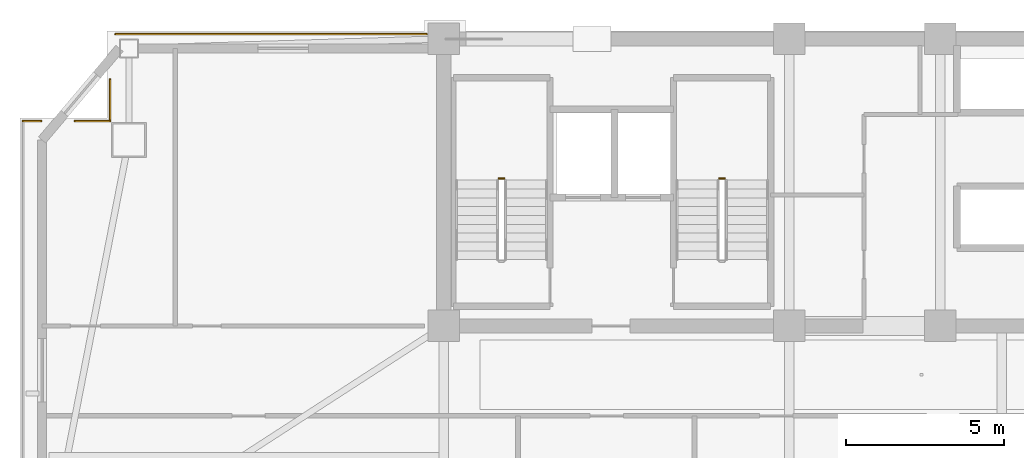
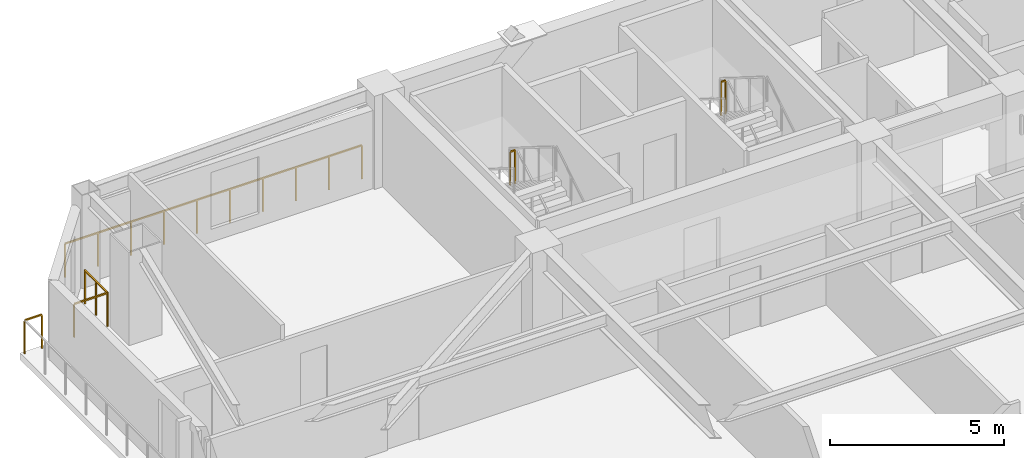
# One storey, part 16 of 17: 6 railings.
"""IFC4 building model written with IfcOpenShell, lengths in metres."""

from ifc_helpers import new_model, si_unit, direction, frame, origin, origin_2d, place, context, subcontext, project, spatial, rectangle, extrude, material, type_object, element, save


model = new_model("IFC4")

# Units and contexts
model_context = context("Model", 3, precision=1e-05, world=origin(), true_north=direction((0.0, 1.0)))
body_context = subcontext(model_context, "Body", "Model", "MODEL_VIEW")
ifc_project = project(units=[si_unit("LENGTHUNIT", "METRE"), si_unit("AREAUNIT", "SQUARE_METRE"), si_unit("VOLUMEUNIT", "CUBIC_METRE"), si_unit("PLANEANGLEUNIT", "RADIAN"), si_unit("MASSUNIT", "GRAM", prefix="KILO")], contexts=[model_context])

# Site, building, storey
site_placement = place(None, origin())
site = spatial("IfcSite", under=ifc_project, at=site_placement, CompositionType="ELEMENT")
building_placement = place(site_placement, origin())
building = spatial("IfcBuilding", under=site, at=building_placement, Name="Giltprow Tower", CompositionType="ELEMENT")
storey_placement = place(building_placement, frame((0.0, 0.0, 213.199951171875)))
storey = spatial("IfcBuildingStorey", under=building, at=storey_placement, Name="L54", CompositionType="ELEMENT", Elevation=213.199951171875)

# Railings
ifc_material = material(Name="Anodized bronze", Category="metal")
railing_type_1 = type_object("IfcRailingType", Name="RAIL-BALC-GUARD-1200", PredefinedType="BALUSTRADE", material=ifc_material)
railing_1_placement = place(storey_placement, frame((6.51806640625, 43.946044921875, 0.0)))
element("IfcRailing", 1, at=railing_1_placement, inside=storey, type_object=railing_type_1, Name="L54 Corner Apron Edge Balustrade 14", PredefinedType="BALUSTRADE", context=body_context, shape_type="SweptSolid", body=[
    extrude(rectangle(XDim=0.048095703125, YDim=0.048095703125, at=origin_2d()), frame((0.0, 0.0, 1.17578125), z_axis=(1.0, 0.0, 0.0), x_axis=(0.0, 1.0, 0.0)), (0.0, 0.0, 1.0), 0.56982421875),
    extrude(rectangle(XDim=0.0419921875, YDim=0.0419921875, at=origin_2d()), origin(), (0.0, 0.0, 1.0), 1.15185546875),
    extrude(rectangle(XDim=0.0419921875, YDim=0.0419921875, at=origin_2d()), frame((0.56982421875, 0.0, 0.0)), (0.0, 0.0, 1.0), 1.15185546875),
])
railing_2_placement = place(storey_placement, frame((8.162109375, 43.946044921875, 0.0)))
element("IfcRailing", 2, at=railing_2_placement, inside=storey, type_object=railing_type_1, Name="L54 Corner Apron Edge Balustrade 15", PredefinedType="BALUSTRADE", context=body_context, shape_type="SweptSolid", body=[
    extrude(rectangle(XDim=0.048095703125, YDim=0.048095703125, at=origin_2d()), frame((0.0, 0.0, 1.17578125), z_axis=(1.0, 0.0, 0.0), x_axis=(0.0, 1.0, 0.0)), (0.0, 0.0, 1.0), 1.10986328125),
    extrude(rectangle(XDim=0.0419921875, YDim=0.0419921875, at=origin_2d()), origin(), (0.0, 0.0, 1.0), 1.15185546875),
    extrude(rectangle(XDim=0.0419921875, YDim=0.0419921875, at=origin_2d()), frame((1.10986328125, 0.0, 0.0)), (0.0, 0.0, 1.0), 1.15185546875),
])
railing_3_placement = place(storey_placement, frame((9.27197265625, 43.946044921875, 0.0)))
element("IfcRailing", 3, at=railing_3_placement, inside=storey, type_object=railing_type_1, Name="L54 Corner Apron Edge Balustrade 16", PredefinedType="BALUSTRADE", context=body_context, shape_type="SweptSolid", body=[
    extrude(rectangle(XDim=0.048095703125, YDim=0.048095703125, at=origin_2d()), frame((0.0, 0.0, 1.17578125), z_axis=(0.0, 1.0, 0.0), x_axis=(-1.0, 0.0, 0.0)), (0.0, 0.0, 1.0), 1.31396484375),
    extrude(rectangle(XDim=0.0419921875, YDim=0.0419921875, at=origin_2d()), origin(), (0.0, 0.0, 1.0), 1.15185546875),
    extrude(rectangle(XDim=0.0419921875, YDim=0.0419921875, at=origin_2d()), frame((0.0, 0.656982421875, 0.0)), (0.0, 0.0, 1.0), 1.15185546875),
    extrude(rectangle(XDim=0.0419921875, YDim=0.0419921875, at=origin_2d()), frame((0.0, 1.31396484375, 0.0)), (0.0, 0.0, 1.0), 1.15185546875),
])
railing_4_placement = place(storey_placement, frame((9.44189453125, 46.699951171875, 0.0)))
element("IfcRailing", 4, at=railing_4_placement, inside=storey, type_object=railing_type_1, Name="L54 Corner Apron Edge Balustrade 17", PredefinedType="BALUSTRADE", context=body_context, shape_type="SweptSolid", body=[
    extrude(rectangle(XDim=0.048095703125, YDim=0.048095703125, at=origin_2d()), frame((0.0, 0.0, 1.17578125), z_axis=(1.0, 0.0, 0.0), x_axis=(0.0, 1.0, 0.0)), (0.0, 0.0, 1.0), 9.873046875),
    extrude(rectangle(XDim=0.0419921875, YDim=0.0419921875, at=origin_2d()), origin(), (0.0, 0.0, 1.0), 1.15185546875),
    extrude(rectangle(XDim=0.0419921875, YDim=0.0419921875, at=origin_2d()), frame((1.096923828125, 0.0, 0.0)), (0.0, 0.0, 1.0), 1.15185546875),
    extrude(rectangle(XDim=0.0419921875, YDim=0.0419921875, at=origin_2d()), frame((2.194091796875, 0.0, 0.0)), (0.0, 0.0, 1.0), 1.15185546875),
    extrude(rectangle(XDim=0.0419921875, YDim=0.0419921875, at=origin_2d()), frame((3.291015625, 0.0, 0.0)), (0.0, 0.0, 1.0), 1.15185546875),
    extrude(rectangle(XDim=0.0419921875, YDim=0.0419921875, at=origin_2d()), frame((4.387939453125, 0.0, 0.0)), (0.0, 0.0, 1.0), 1.15185546875),
    extrude(rectangle(XDim=0.0419921875, YDim=0.0419921875, at=origin_2d()), frame((5.485107421875, 0.0, 0.0)), (0.0, 0.0, 1.0), 1.15185546875),
    extrude(rectangle(XDim=0.0419921875, YDim=0.0419921875, at=origin_2d()), frame((6.58203125, 0.0, 0.0)), (0.0, 0.0, 1.0), 1.15185546875),
    extrude(rectangle(XDim=0.0419921875, YDim=0.0419921875, at=origin_2d()), frame((7.678955078125, 0.0, 0.0)), (0.0, 0.0, 1.0), 1.15185546875),
    extrude(rectangle(XDim=0.0419921875, YDim=0.0419921875, at=origin_2d()), frame((8.776123046875, 0.0, 0.0)), (0.0, 0.0, 1.0), 1.15185546875),
    extrude(rectangle(XDim=0.0419921875, YDim=0.0419921875, at=origin_2d()), frame((9.873046875, 0.0, 0.0)), (0.0, 0.0, 1.0), 1.15185546875),
])
railing_type_2 = type_object("IfcRailingType", Name="RAIL-STAIR-GUARD-1200", PredefinedType="GUARDRAIL", material=ifc_material)
for number, where, name in (
    (5, (21.760009765625, 42.1201171875, 1.75), "L54 ST-1 stair guard 2"),
    (6, (28.760009765625, 42.1201171875, 1.75), "L54 ST-2 stair guard 2"),
):
    element("IfcRailing", number, at=place(storey_placement, frame(where)), inside=storey, type_object=railing_type_2, Name=name, PredefinedType="GUARDRAIL", context=body_context, shape_type="SweptSolid", body=[
        extrude(rectangle(XDim=0.048095703125, YDim=0.048095703125, at=origin_2d()), frame((0.0, 0.0, 1.17578125), z_axis=(-1.0, 0.0, 0.0), x_axis=(0.0, -1.0, 0.0)), (0.0, 0.0, 1.0), 0.159912109375),
        extrude(rectangle(XDim=0.0419921875, YDim=0.0419921875, at=origin_2d()), origin(), (0.0, 0.0, 1.0), 1.15185546875),
        extrude(rectangle(XDim=0.0419921875, YDim=0.0419921875, at=origin_2d()), frame((-0.159912109375, 0.0, 0.0)), (0.0, 0.0, 1.0), 1.15185546875),
    ])

save(model, "model.ifc")
